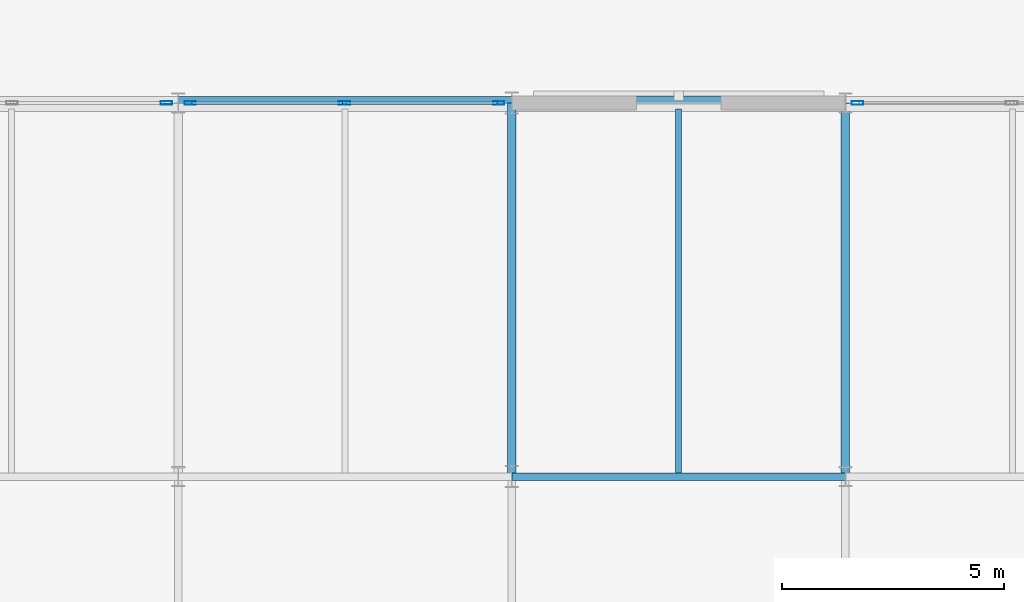
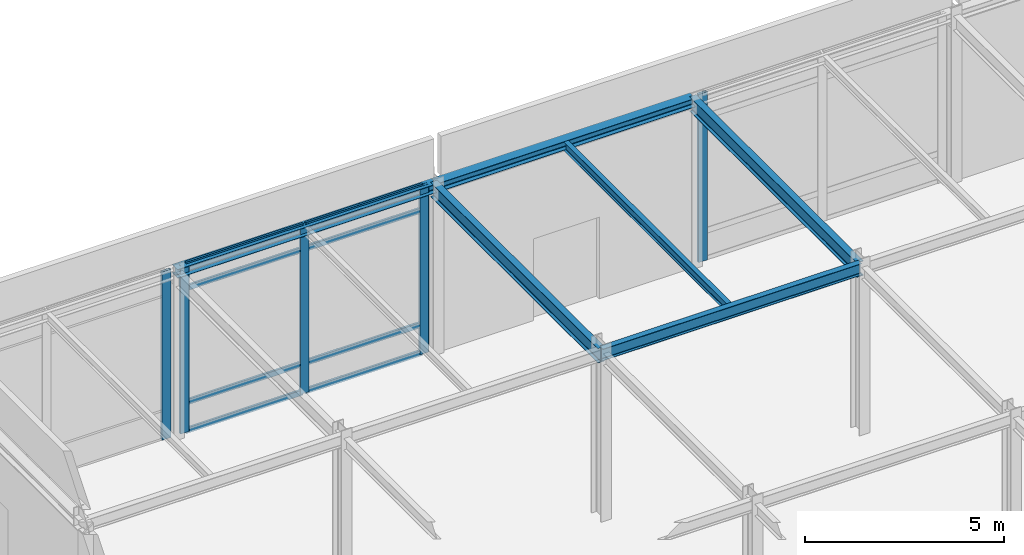
# One storey, part 32 of 89: 13 members, 6 beams, 3 elements without a shape of their own.
"""IFC4 building model written with IfcOpenShell, lengths in metres."""

from ifc_helpers import new_model, si_unit, direction, frame, origin, origin_2d, place, context, subcontext, project, spatial, hollow_rectangle, i_section, extrude, material, layer, layer_set, material_profile, profile_set, type_object, element, aggregate, save


model = new_model("IFC4")

# Units and contexts
model_context = context("Model", 3, precision=1e-05, world=origin(), true_north=direction((0.0, 1.0)))
body_context = subcontext(model_context, "Body", "Model", "MODEL_VIEW")
ifc_project = project(units=[si_unit("LENGTHUNIT", "METRE"), si_unit("AREAUNIT", "SQUARE_METRE"), si_unit("VOLUMEUNIT", "CUBIC_METRE"), si_unit("PLANEANGLEUNIT", "RADIAN"), si_unit("MASSUNIT", "GRAM", prefix="KILO")], contexts=[model_context])

# Site, building, storey
site_placement = place(None, origin())
site = spatial("IfcSite", under=ifc_project, at=site_placement, CompositionType="ELEMENT")
building_placement = place(site_placement, origin())
building = spatial("IfcBuilding", under=site, at=building_placement, Name="Shalkamar Park Central Library", CompositionType="ELEMENT")
storey_placement = place(building_placement, origin())
storey = spatial("IfcBuildingStorey", under=building, at=storey_placement, Name="L01", CompositionType="ELEMENT", Elevation=0.0)

# Beam
ifc_material_1 = material(Name="Steel S355", Category="steel")
ifc_material_profile_1 = material_profile(ifc_material_1, i_section(OverallWidth=0.135009765625, OverallDepth=0.27001953125, WebThickness=0.006591796875, FlangeThickness=0.01025390625, FilletRadius=0.014892578125, at=origin_2d()), Name="IPE 270")
ifc_profile_set_1 = profile_set([ifc_material_profile_1], Name="Steel S355")
beam_type_1 = type_object("IfcBeamType", Name="Composite Floor Joist IPE270", PredefinedType="JOIST", material=ifc_profile_set_1)
beam_1_placement = place(storey_placement, frame((138.75, 345.68310546875, 5.014892578125), z_axis=(0.0, 1.0, 0.0), x_axis=(-1.0, 0.0, 0.0)))
element("IfcBeam", 1, at=beam_1_placement, inside=storey, type_object=beam_type_1, Name="Composite Joist 03/Q-1 (L01)", PredefinedType="JOIST", context=body_context, shape_type="SweptSolid", body=[
    extrude(i_section(OverallWidth=0.135009765625, OverallDepth=0.27001953125, WebThickness=0.006591796875, FlangeThickness=0.01025390625, FilletRadius=0.014892578125, at=origin_2d()), origin(), (0.0, 0.0, 1.0), 8.178955078125),
])

# Curtain wall, member
ifc_material_2 = material(Name="Thermally broken aluminium and triple low-e curtain wall", Category="aluminium")
ifc_layer_1 = layer(ifc_material_2, 0.260009765625)
ifc_layer_set_1 = layer_set([ifc_layer_1], Name="UnitisedCurtainWall_04")
curtain_wall_type_1 = type_object("IfcCurtainWallType", Name="Unitised Curtain Wall 04", PredefinedType="USERDEFINED", material=ifc_layer_set_1)
curtain_wall_1_placement = place(storey_placement, origin())
curtain_wall_1 = element("IfcCurtainWall", 2, at=curtain_wall_1_placement, inside=storey, type_object=curtain_wall_type_1, Name="Unitised Curtain Wall CW-L01-004", ObjectType="UNITISED CURTAIN WALL", PredefinedType="USERDEFINED")
ifc_material_3 = material(Name="Aluminium 6060-T66", Category="aluminium")
ifc_material_profile_2 = material_profile(ifc_material_3, hollow_rectangle(XDim=0.074951171875, YDim=0.260009765625, WallThickness=0.00439453125, InnerFilletRadius=0.00439453125, OuterFilletRadius=0.0068359375, at=origin_2d()), Name="ALU 75x260x4.5")
ifc_profile_set_2 = profile_set([ifc_material_profile_2], Name="Aluminium 6060-T66")
member_type_1 = type_object("IfcMemberType", Name="Curtain Wall Mullion ALU75x260", PredefinedType="MULLION", material=ifc_profile_set_2)
member_1_placement = place(storey_placement, frame((127.2333984375, 354.0, 0.0), z_axis=(0.0, 0.0, 1.0), x_axis=(0.0, 1.0, 0.0)))
member_1 = element("IfcMember", 3, at=member_1_placement, type_object=member_type_1, Name="CW-04 mullion 3", PredefinedType="MULLION", context=body_context, shape_type="SweptSolid", body=[
    extrude(hollow_rectangle(XDim=0.074951171875, YDim=0.260009765625, WallThickness=0.00439453125, InnerFilletRadius=0.00439453125, OuterFilletRadius=0.0068359375, at=origin_2d()), origin(), (0.0, 0.0, 1.0), 5.14990234375),
])
aggregate(curtain_wall_1, [member_1])

# Curtain wall, members
ifc_layer_2 = layer(ifc_material_2, 0.2548828125)
ifc_layer_set_2 = layer_set([ifc_layer_2], Name="UnitisedCurtainWall_05")
curtain_wall_type_2 = type_object("IfcCurtainWallType", Name="Unitised Curtain Wall 05", PredefinedType="USERDEFINED", material=ifc_layer_set_2)
curtain_wall_2_placement = place(storey_placement, origin())
curtain_wall_2 = element("IfcCurtainWall", 4, at=curtain_wall_2_placement, inside=storey, type_object=curtain_wall_type_2, Name="Unitised Curtain Wall CW-L01-005", ObjectType="UNITISED CURTAIN WALL", PredefinedType="USERDEFINED")
ifc_material_profile_3 = material_profile(ifc_material_3, hollow_rectangle(XDim=0.080078125, YDim=0.2548828125, WallThickness=0.00439453125, InnerFilletRadius=0.00439453125, OuterFilletRadius=0.0068359375, at=origin_2d()), Name="ALU 80x255x4.5")
ifc_profile_set_3 = profile_set([ifc_material_profile_3], Name="Aluminium 6060-T66")
member_type_2 = type_object("IfcMemberType", Name="Curtain Wall Mullion ALU80x255", PredefinedType="MULLION", material=ifc_profile_set_3)
member_2_placement = place(storey_placement, frame((127.76904296875, 354.0, 0.0), z_axis=(0.0, 0.0, 1.0), x_axis=(0.0, 1.0, 0.0)))
member_2 = element("IfcMember", 5, at=member_2_placement, type_object=member_type_2, Name="CW-05 mullion 1", PredefinedType="MULLION", context=body_context, shape_type="SweptSolid", body=[
    extrude(hollow_rectangle(XDim=0.080078125, YDim=0.2548828125, WallThickness=0.00439453125, InnerFilletRadius=0.00439453125, OuterFilletRadius=0.0068359375, at=origin_2d()), origin(), (0.0, 0.0, 1.0), 5.14990234375),
])
member_3_placement = place(storey_placement, frame((131.237548828125, 354.0, 0.0), z_axis=(0.0, 0.0, 1.0), x_axis=(0.0, 1.0, 0.0)))
member_3 = element("IfcMember", 6, at=member_3_placement, type_object=member_type_2, Name="CW-05 mullion 2", PredefinedType="MULLION", context=body_context, shape_type="SweptSolid", body=[
    extrude(hollow_rectangle(XDim=0.080078125, YDim=0.2548828125, WallThickness=0.00439453125, InnerFilletRadius=0.00439453125, OuterFilletRadius=0.0068359375, at=origin_2d()), origin(), (0.0, 0.0, 1.0), 5.14990234375),
])
member_4_placement = place(storey_placement, frame((134.7060546875, 354.0, 0.0), z_axis=(0.0, 0.0, 1.0), x_axis=(0.0, 1.0, 0.0)))
member_4 = element("IfcMember", 7, at=member_4_placement, type_object=member_type_2, Name="CW-05 mullion 3", PredefinedType="MULLION", context=body_context, shape_type="SweptSolid", body=[
    extrude(hollow_rectangle(XDim=0.080078125, YDim=0.2548828125, WallThickness=0.00439453125, InnerFilletRadius=0.00439453125, OuterFilletRadius=0.0068359375, at=origin_2d()), origin(), (0.0, 0.0, 1.0), 5.14990234375),
])

# Curtain wall, member
ifc_layer_3 = layer(ifc_material_2, 0.264892578125)
ifc_layer_set_3 = layer_set([ifc_layer_3], Name="UnitisedCurtainWall_06")
curtain_wall_type_3 = type_object("IfcCurtainWallType", Name="Unitised Curtain Wall 06", PredefinedType="USERDEFINED", material=ifc_layer_set_3)
curtain_wall_3_placement = place(storey_placement, origin())
curtain_wall_3 = element("IfcCurtainWall", 8, at=curtain_wall_3_placement, inside=storey, type_object=curtain_wall_type_3, Name="Unitised Curtain Wall CW-L01-006", ObjectType="UNITISED CURTAIN WALL", PredefinedType="USERDEFINED")
ifc_material_profile_4 = material_profile(ifc_material_3, hollow_rectangle(XDim=0.0849609375, YDim=0.264892578125, WallThickness=0.0048828125, InnerFilletRadius=0.0048828125, OuterFilletRadius=0.007568359375, at=origin_2d()), Name="ALU 85x265x5")
ifc_profile_set_4 = profile_set([ifc_material_profile_4], Name="Aluminium 6060-T66")
member_type_3 = type_object("IfcMemberType", Name="Curtain Wall Mullion ALU85x265", PredefinedType="MULLION", material=ifc_profile_set_4)
member_5_placement = place(storey_placement, frame((142.771484375, 354.0, 0.0), z_axis=(0.0, 0.0, 1.0), x_axis=(0.0, 1.0, 0.0)))
member_5 = element("IfcMember", 9, at=member_5_placement, type_object=member_type_3, Name="CW-06 mullion 1", PredefinedType="MULLION", context=body_context, shape_type="SweptSolid", body=[
    extrude(hollow_rectangle(XDim=0.0849609375, YDim=0.264892578125, WallThickness=0.0048828125, InnerFilletRadius=0.0048828125, OuterFilletRadius=0.007568359375, at=origin_2d()), origin(), (0.0, 0.0, 1.0), 5.14990234375),
])
aggregate(curtain_wall_3, [member_5])

# Member
ifc_material_profile_5 = material_profile(ifc_material_3, hollow_rectangle(XDim=0.06494140625, YDim=0.169921875, WallThickness=0.00390625, InnerFilletRadius=0.00390625, OuterFilletRadius=0.006103515625, at=origin_2d()), Name="ALU 65x170x4")
ifc_profile_set_5 = profile_set([ifc_material_profile_5], Name="Aluminium 6060-T66")
member_type_4 = type_object("IfcMemberType", Name="Curtain Wall Transom ALU65x170", PredefinedType="USERDEFINED", material=ifc_profile_set_5)
member_6_placement = place(storey_placement, frame((127.80908203125, 354.0, 0.032470703125), z_axis=(1.0, 0.0, 0.0), x_axis=(0.0, 1.0, 0.0)))
member_6 = element("IfcMember", 10, at=member_6_placement, type_object=member_type_4, Name="CW-05 transom 1.1", ObjectType="TRANSOM", PredefinedType="USERDEFINED", context=body_context, shape_type="SweptSolid", body=[
    extrude(hollow_rectangle(XDim=0.06494140625, YDim=0.169921875, WallThickness=0.00390625, InnerFilletRadius=0.00390625, OuterFilletRadius=0.006103515625, at=origin_2d()), origin(), (0.0, 0.0, 1.0), 3.388427734375),
])

member_7_placement = place(storey_placement, frame((127.80908203125, 354.0, 0.89990234375), z_axis=(1.0, 0.0, 0.0), x_axis=(0.0, 1.0, 0.0)))
member_7 = element("IfcMember", 11, at=member_7_placement, type_object=member_type_4, Name="CW-05 transom 1.2", ObjectType="TRANSOM", PredefinedType="USERDEFINED", context=body_context, shape_type="SweptSolid", body=[
    extrude(hollow_rectangle(XDim=0.06494140625, YDim=0.169921875, WallThickness=0.00390625, InnerFilletRadius=0.00390625, OuterFilletRadius=0.006103515625, at=origin_2d()), origin(), (0.0, 0.0, 1.0), 3.388427734375),
])

member_8_placement = place(storey_placement, frame((127.80908203125, 354.0, 4.39990234375), z_axis=(1.0, 0.0, 0.0), x_axis=(0.0, 1.0, 0.0)))
member_8 = element("IfcMember", 12, at=member_8_placement, type_object=member_type_4, Name="CW-05 transom 1.3", ObjectType="TRANSOM", PredefinedType="USERDEFINED", context=body_context, shape_type="SweptSolid", body=[
    extrude(hollow_rectangle(XDim=0.06494140625, YDim=0.169921875, WallThickness=0.00390625, InnerFilletRadius=0.00390625, OuterFilletRadius=0.006103515625, at=origin_2d()), origin(), (0.0, 0.0, 1.0), 3.388427734375),
])

member_9_placement = place(storey_placement, frame((127.80908203125, 354.0, 5.117431640625), z_axis=(1.0, 0.0, 0.0), x_axis=(0.0, 1.0, 0.0)))
member_9 = element("IfcMember", 13, at=member_9_placement, type_object=member_type_4, Name="CW-05 transom 1.4", ObjectType="TRANSOM", PredefinedType="USERDEFINED", context=body_context, shape_type="SweptSolid", body=[
    extrude(hollow_rectangle(XDim=0.06494140625, YDim=0.169921875, WallThickness=0.00390625, InnerFilletRadius=0.00390625, OuterFilletRadius=0.006103515625, at=origin_2d()), origin(), (0.0, 0.0, 1.0), 3.388427734375),
])

member_10_placement = place(storey_placement, frame((131.277587890625, 354.0, 0.032470703125), z_axis=(1.0, 0.0, 0.0), x_axis=(0.0, 1.0, 0.0)))
member_10 = element("IfcMember", 14, at=member_10_placement, type_object=member_type_4, Name="CW-05 transom 2.1", ObjectType="TRANSOM", PredefinedType="USERDEFINED", context=body_context, shape_type="SweptSolid", body=[
    extrude(hollow_rectangle(XDim=0.06494140625, YDim=0.169921875, WallThickness=0.00390625, InnerFilletRadius=0.00390625, OuterFilletRadius=0.006103515625, at=origin_2d()), origin(), (0.0, 0.0, 1.0), 3.388427734375),
])

member_11_placement = place(storey_placement, frame((131.277587890625, 354.0, 0.89990234375), z_axis=(1.0, 0.0, 0.0), x_axis=(0.0, 1.0, 0.0)))
member_11 = element("IfcMember", 15, at=member_11_placement, type_object=member_type_4, Name="CW-05 transom 2.2", ObjectType="TRANSOM", PredefinedType="USERDEFINED", context=body_context, shape_type="SweptSolid", body=[
    extrude(hollow_rectangle(XDim=0.06494140625, YDim=0.169921875, WallThickness=0.00390625, InnerFilletRadius=0.00390625, OuterFilletRadius=0.006103515625, at=origin_2d()), origin(), (0.0, 0.0, 1.0), 3.388427734375),
])

member_12_placement = place(storey_placement, frame((131.277587890625, 354.0, 4.39990234375), z_axis=(1.0, 0.0, 0.0), x_axis=(0.0, 1.0, 0.0)))
member_12 = element("IfcMember", 16, at=member_12_placement, type_object=member_type_4, Name="CW-05 transom 2.3", ObjectType="TRANSOM", PredefinedType="USERDEFINED", context=body_context, shape_type="SweptSolid", body=[
    extrude(hollow_rectangle(XDim=0.06494140625, YDim=0.169921875, WallThickness=0.00390625, InnerFilletRadius=0.00390625, OuterFilletRadius=0.006103515625, at=origin_2d()), origin(), (0.0, 0.0, 1.0), 3.388427734375),
])

member_13_placement = place(storey_placement, frame((131.277587890625, 354.0, 5.117431640625), z_axis=(1.0, 0.0, 0.0), x_axis=(0.0, 1.0, 0.0)))
member_13 = element("IfcMember", 17, at=member_13_placement, type_object=member_type_4, Name="CW-05 transom 2.4", ObjectType="TRANSOM", PredefinedType="USERDEFINED", context=body_context, shape_type="SweptSolid", body=[
    extrude(hollow_rectangle(XDim=0.06494140625, YDim=0.169921875, WallThickness=0.00390625, InnerFilletRadius=0.00390625, OuterFilletRadius=0.006103515625, at=origin_2d()), origin(), (0.0, 0.0, 1.0), 3.388427734375),
])

aggregate(curtain_wall_2, [member_2, member_3, member_4, member_6, member_7, member_8, member_9, member_10, member_11, member_12, member_13])

# Beams
ifc_material_profile_6 = material_profile(ifc_material_1, i_section(OverallWidth=0.280029296875, OverallDepth=0.27001953125, WebThickness=0.008056640625, FlangeThickness=0.012939453125, FilletRadius=0.02392578125, at=origin_2d()), Name="HEA 280")
ifc_profile_set_6 = profile_set([ifc_material_profile_6], Name="Steel S355")
beam_type_2 = type_object("IfcBeamType", Name="Perimeter Spandrel Beam HEA280", PredefinedType="SPANDREL", material=ifc_profile_set_6)
for number, where, z_axis, x_axis, name in (
    (18, (127.5, 354.0, 5.014892578125), (1.0, 0.0, 0.0), (0.0, 1.0, 0.0), "Beam R:02-03 (L01)"),
    (19, (135.0, 354.0, 5.014892578125), (1.0, 0.0, 0.0), (0.0, 1.0, 0.0), "Beam R:03-04 (L01)"),
):
    element("IfcBeam", number, at=place(storey_placement, frame(where, z_axis=z_axis, x_axis=x_axis)), inside=storey, type_object=beam_type_2, Name=name, PredefinedType="SPANDREL", context=body_context, shape_type="SweptSolid", body=[
        extrude(i_section(OverallWidth=0.280029296875, OverallDepth=0.27001953125, WebThickness=0.008056640625, FlangeThickness=0.012939453125, FilletRadius=0.02392578125, at=origin_2d()), origin(), (0.0, 0.0, 1.0), 7.5),
    ])
ifc_material_profile_7 = material_profile(ifc_material_1, i_section(OverallWidth=0.169921875, OverallDepth=0.360107421875, WebThickness=0.008056640625, FlangeThickness=0.0126953125, FilletRadius=0.01806640625, at=origin_2d()), Name="IPE 360")
ifc_profile_set_7 = profile_set([ifc_material_profile_7], Name="Steel S355")
beam_type_3 = type_object("IfcBeamType", Name="Primary Girder IPE360", PredefinedType="BEAM", material=ifc_profile_set_7)
beam_2_placement = place(storey_placement, frame((135.0, 345.60009765625, 4.969970703125), z_axis=(1.0, 0.0, 0.0), x_axis=(0.0, 1.0, 0.0)))
element("IfcBeam", 20, at=beam_2_placement, inside=storey, type_object=beam_type_3, Name="Beam Q:03-04 (L01)", PredefinedType="BEAM", context=body_context, shape_type="SweptSolid", body=[
    extrude(i_section(OverallWidth=0.169921875, OverallDepth=0.360107421875, WebThickness=0.008056640625, FlangeThickness=0.0126953125, FilletRadius=0.01806640625, at=origin_2d()), origin(), (0.0, 0.0, 1.0), 7.5),
])
ifc_material_profile_8 = material_profile(ifc_material_1, i_section(OverallWidth=0.18994140625, OverallDepth=0.449951171875, WebThickness=0.009521484375, FlangeThickness=0.0146484375, FilletRadius=0.02099609375, at=origin_2d()), Name="IPE 450")
ifc_profile_set_8 = profile_set([ifc_material_profile_8], Name="Steel S355")
beam_type_4 = type_object("IfcBeamType", Name="Primary Girder IPE450", PredefinedType="BEAM", material=ifc_profile_set_8)
for number, where, z_axis, x_axis, name in (
    (21, (135.0, 345.60009765625, 4.925048828125), (0.0, 1.0, 0.0), (-1.0, 0.0, 0.0), "Beam 03:Q-R (L01)"),
    (22, (142.5, 345.60009765625, 4.925048828125), (0.0, 1.0, 0.0), (-1.0, 0.0, 0.0), "Beam 04:Q-R (L01)"),
):
    element("IfcBeam", number, at=place(storey_placement, frame(where, z_axis=z_axis, x_axis=x_axis)), inside=storey, type_object=beam_type_4, Name=name, PredefinedType="BEAM", context=body_context, shape_type="SweptSolid", body=[
        extrude(i_section(OverallWidth=0.18994140625, OverallDepth=0.449951171875, WebThickness=0.009521484375, FlangeThickness=0.0146484375, FilletRadius=0.02099609375, at=origin_2d()), origin(), (0.0, 0.0, 1.0), 8.39990234375),
    ])

save(model, "model.ifc")
